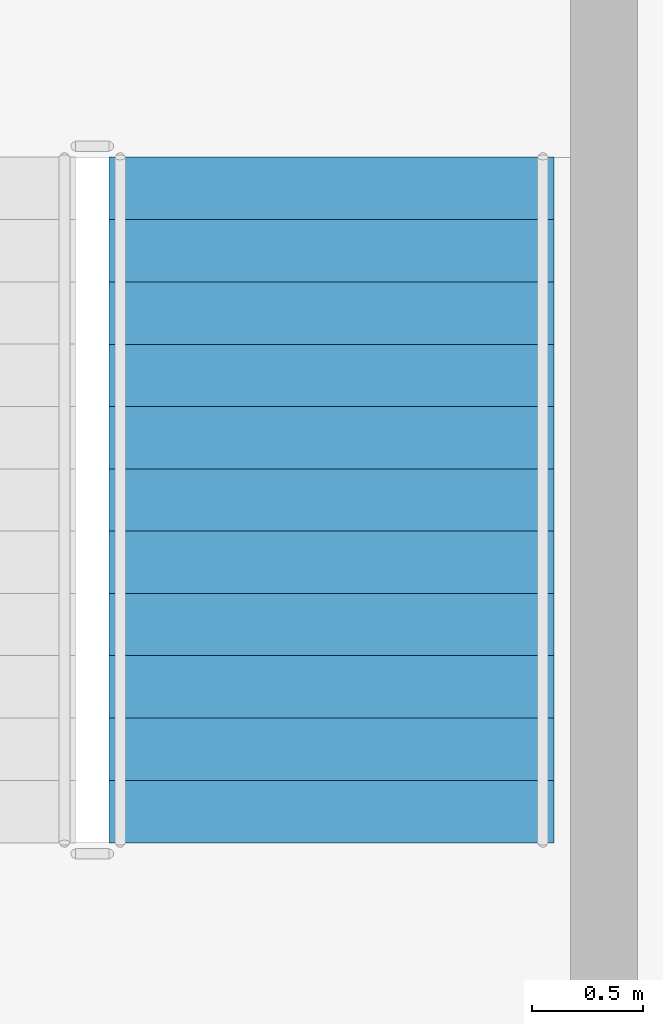
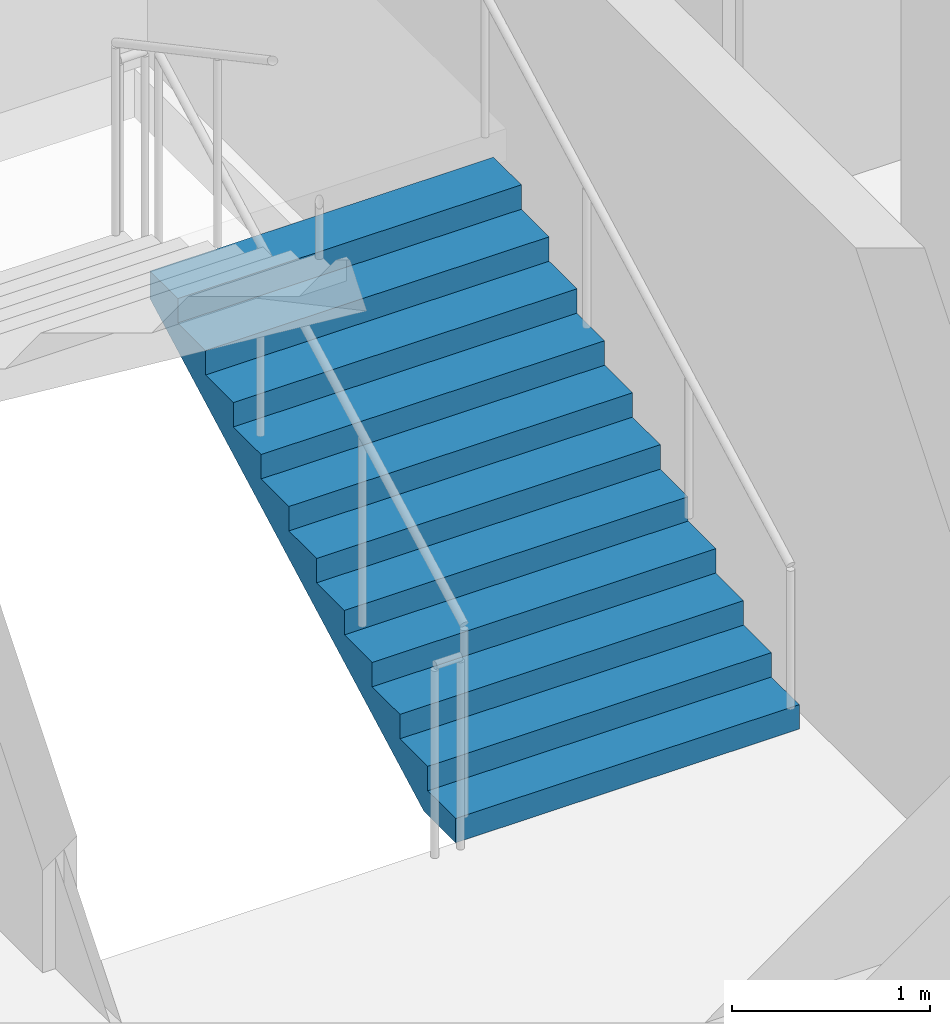
# One storey, part 12 of 15: 1 stair flight, 1 element without a shape of its own.
"""IFC4 building model written with IfcOpenShell, lengths in metres."""

import ifcopenshell
import ifcopenshell.guid

model = None  # the IFC model being written
_history = None  # IfcOwnerHistory: only IFC2X3 demands one
_inside = {}  # id of a spatial element -> (the spatial element, [elements in it])
_under = {}  # id of a project, library or spatial element -> (it, [spatial elements below it])
_declared = {}  # id of a project -> (the project, [libraries it declares])
_typed = {}  # id of a type object -> (the type object, [elements of that type])
_made_of = {}  # id of a material, layer set ... -> (it, [elements and type objects made of it])


def new_model(schema):
    """Start an empty IFC model of exactly this schema.

    Asked for "IFC4X3", IfcOpenShell would pick the latest addendum, in which some entities
    have other attributes; the version numbers below select the first issue.
    IFC2X3 requires an IfcOwnerHistory on every rooted entity: one is made here for all.
    """
    global model, _history
    if schema == "IFC4X3":
        model = ifcopenshell.file(schema_version=(4, 3, 0, 0))
    else:
        model = ifcopenshell.file(schema=schema)
    _inside.clear()
    _under.clear()
    _declared.clear()
    _typed.clear()
    _made_of.clear()
    _history = None
    if model.schema == "IFC2X3":
        org = make("IfcOrganization", Name="unknown")
        user = make(
            "IfcPersonAndOrganization",
            ThePerson=make("IfcPerson", FamilyName="unknown"),
            TheOrganization=org,
        )
        app = make(
            "IfcApplication",
            ApplicationDeveloper=org,
            Version="unknown",
            ApplicationFullName="unknown",
            ApplicationIdentifier="unknown",
        )
        _history = make(
            "IfcOwnerHistory",
            OwningUser=user,
            OwningApplication=app,
            ChangeAction="ADDED",
            CreationDate=0,
        )
    return model


def make(cls, **values):
    """One entity of the class cls with the attributes given. An attribute that is None is left unset."""
    return model.create_entity(
        cls, **{name: value for name, value in values.items() if value is not None}
    )


def rooted(cls, **values):
    """An entity with a GlobalId (a new one), such as an element, a storey or a relation."""
    return make(cls, GlobalId=ifcopenshell.guid.new(), OwnerHistory=_history, **values)


def si_unit(unit_type, name, prefix=None):
    """IfcSIUnit, for example si_unit("LENGTHUNIT", "METRE", prefix="MILLI")."""
    return make("IfcSIUnit", UnitType=unit_type, Prefix=prefix, Name=name)


def assignment(units):
    """IfcUnitAssignment: the units of a project."""
    return None if units is None else make("IfcUnitAssignment", Units=units)


def point(xyz):
    """IfcCartesianPoint."""
    return None if xyz is None else make("IfcCartesianPoint", Coordinates=xyz)


def direction(xyz):
    """IfcDirection."""
    return None if xyz is None else make("IfcDirection", DirectionRatios=xyz)


def frame(location, z_axis=None, x_axis=None):
    """IfcAxis2Placement3D, a coordinate frame: its origin and axes. An axis left out is left unset."""
    return make(
        "IfcAxis2Placement3D",
        Location=point(location),
        Axis=direction(z_axis),
        RefDirection=direction(x_axis),
    )


def origin():
    """The frame at (0, 0, 0) with its axes left unset."""
    return frame((0.0, 0.0, 0.0))


def place(relative_to, where):
    """IfcLocalPlacement: puts the frame where relative to a parent placement (None: the world)."""
    return make(
        "IfcLocalPlacement", PlacementRelTo=relative_to, RelativePlacement=where
    )


def context(
    kind, dimensions, precision=None, world=None, true_north=None, identifier=None
):
    """IfcGeometricRepresentationContext, for example the 3D "Model" context."""
    return make(
        "IfcGeometricRepresentationContext",
        ContextIdentifier=identifier,
        ContextType=kind,
        CoordinateSpaceDimension=dimensions,
        Precision=precision,
        WorldCoordinateSystem=world,
        TrueNorth=true_north,
    )


def subcontext(parent, identifier, kind, view, scale=None):
    """IfcGeometricRepresentationSubContext, for example "Body" below "Model"."""
    return make(
        "IfcGeometricRepresentationSubContext",
        ContextIdentifier=identifier,
        ContextType=kind,
        ParentContext=parent,
        TargetScale=scale,
        TargetView=view,
    )


def project(units=None, contexts=None):
    """IfcProject with its units and contexts."""
    return rooted(
        "IfcProject",
        Name="project",
        RepresentationContexts=contexts,
        UnitsInContext=assignment(units),
    )


def spatial(cls, under=None, at=None, **own):
    """A site, building, storey or space (cls), placed at a placement, below another one or the project."""
    s = rooted(cls, ObjectPlacement=at, **own)
    if under is not None:
        _under.setdefault(under.id(), (under, []))[1].append(s)
    return s


def point_list(points):
    """IfcCartesianPointList2D or 3D."""
    cls = (
        "IfcCartesianPointList2D" if len(points[0]) == 2 else "IfcCartesianPointList3D"
    )
    return make(cls, CoordList=points)


def polygons(points, faces, closed=None, point_numbers=None):
    """IfcPolygonalFaceSet: a face is its outer loop, then its inner loops; points numbered from 1."""
    made = []
    for loops in faces:
        if len(loops) == 1:
            made.append(make("IfcIndexedPolygonalFace", CoordIndex=loops[0]))
        else:
            made.append(
                make(
                    "IfcIndexedPolygonalFaceWithVoids",
                    CoordIndex=loops[0],
                    InnerCoordIndices=loops[1:],
                )
            )
    return make(
        "IfcPolygonalFaceSet",
        Coordinates=point_list(points),
        Closed=closed,
        Faces=made,
        PnIndex=point_numbers,
    )


def shape(context_of_items, identifier, shape_type, items):
    """IfcShapeRepresentation: the items that make up one representation, for example the "Body"."""
    return make(
        "IfcShapeRepresentation",
        ContextOfItems=context_of_items,
        RepresentationIdentifier=identifier,
        RepresentationType=shape_type,
        Items=items,
    )


def material(Name=None, Category=None):
    """IfcMaterial."""
    return make("IfcMaterial", Name=Name, Category=Category)


def made_of(thing, what):
    """Note that an element or type object is made of a material, layer set ...; save() writes the relation."""
    if what is not None:
        _made_of.setdefault(what.id(), (what, []))[1].append(thing)
    return thing


def type_object(cls, material=None, **own):
    """A type object (cls), such as IfcWallType, which elements share."""
    return made_of(rooted(cls, **own), material)


def element(
    cls,
    number,
    at=None,
    inside=None,
    cuts=None,
    type_object=None,
    material=None,
    context=None,
    identifier="Body",
    shape_type=None,
    held_by="IfcProductDefinitionShape",
    body=None,
    shapes=None,
    **own,
):
    """One element of the class cls, such as IfcWall. Its Tag is "e" and its number.

    at: its placement. inside: the storey or other place that contains it. cuts: it is an
    opening in that element (IfcRelVoidsElement). A single representation is given by context,
    identifier, shape_type and body (its items); several are given by shapes. held_by: the class
    of the entity that holds the representations. save() writes the other relations.
    """
    e = rooted(cls, Tag="e%d" % number, ObjectPlacement=at, **own)
    if body is not None:
        shapes = [shape(context, identifier, shape_type, body)]
    if shapes is not None:
        e.Representation = make(held_by, Representations=shapes)
    if inside is not None:
        _inside.setdefault(inside.id(), (inside, []))[1].append(e)
    if cuts is not None:
        rooted(
            "IfcRelVoidsElement", RelatingBuildingElement=cuts, RelatedOpeningElement=e
        )
    if type_object is not None:
        _typed.setdefault(type_object.id(), (type_object, []))[1].append(e)
    return made_of(e, material)


def aggregate(whole, parts):
    """IfcRelAggregates: a whole, such as a stair, and the parts it consists of."""
    return rooted("IfcRelAggregates", RelatingObject=whole, RelatedObjects=parts)


def save(model, path):
    """Write the relations noted so far, then the file.

    IfcRelAggregates (storeys below a building ...), IfcRelContainedInSpatialStructure (elements
    in a storey), IfcRelDefinesByType, IfcRelAssociatesMaterial and IfcRelDeclares: one each for
    every whole, place, type object, material and project.
    """
    for whole, parts in _under.values():
        aggregate(whole, parts)
    for where, things in _inside.values():
        rooted(
            "IfcRelContainedInSpatialStructure",
            RelatedElements=things,
            RelatingStructure=where,
        )
    for kind, things in _typed.values():
        rooted("IfcRelDefinesByType", RelatedObjects=things, RelatingType=kind)
    for what, things in _made_of.values():
        rooted("IfcRelAssociatesMaterial", RelatedObjects=things, RelatingMaterial=what)
    for by, libraries in _declared.values():
        rooted("IfcRelDeclares", RelatingContext=by, RelatedDefinitions=libraries)
    model.write(path)


model = new_model("IFC4")

# Units and contexts
model_context = context("Model", 3, precision=1e-05, world=origin(), true_north=direction((0.0, 1.0)))
body_context = subcontext(model_context, "Body", "Model", "MODEL_VIEW")
ifc_project = project(units=[si_unit("LENGTHUNIT", "METRE"), si_unit("AREAUNIT", "SQUARE_METRE"), si_unit("VOLUMEUNIT", "CUBIC_METRE"), si_unit("PLANEANGLEUNIT", "RADIAN"), si_unit("MASSUNIT", "GRAM", prefix="KILO")], contexts=[model_context])

# Site, building, storey
site_placement = place(None, origin())
site = spatial("IfcSite", under=ifc_project, at=site_placement, CompositionType="ELEMENT")
building_placement = place(site_placement, origin())
building = spatial("IfcBuilding", under=site, at=building_placement, Name="Caravel Reach Hotel and Residences", CompositionType="ELEMENT")
storey_placement = place(building_placement, frame((0.0, 0.0, 44.39990234375)))
storey = spatial("IfcBuildingStorey", under=building, at=storey_placement, Name="L09", CompositionType="ELEMENT", Elevation=44.39990234375)

# Stair, stair flight
ifc_material_1 = material(Name="Concrete C40", Category="concrete")
stair_type = type_object("IfcStairType", Name="Core stair", PredefinedType="HALF_TURN_STAIR", material=ifc_material_1)
stair_placement = place(storey_placement, origin())
stair = element("IfcStair", 1, at=stair_placement, inside=storey, type_object=stair_type, Name="L09 Exit stair B", PredefinedType="HALF_TURN_STAIR")
ifc_material_2 = material(Name="Concrete C40", Category="concrete")
stair_flight_type = type_object("IfcStairFlightType", Name="Core stair flight", PredefinedType="STRAIGHT", material=ifc_material_2)
stair_flight_placement = place(storey_placement, frame((43.77490234375, 24.64990234375, 0.0), z_axis=(0.0, 0.0, 1.0), x_axis=(0.0, 1.0, 0.0)))
stair_flight = element("IfcStairFlight", 2, at=stair_flight_placement, type_object=stair_flight_type, Name="ST-B flight 1", NumberOfRisers=12, NumberOfTreads=11, PredefinedType="STRAIGHT", RiserHeight=0.15, TreadLength=0.28, context=body_context, shape_type="Tessellation", body=[
    polygons([(0.3174408016601862, 1.0, 0.0), (0.3174408016601862, 0.6666666666666667, 0.0), (0.3174408016601862, 0.33333333333333337, 0.0), (0.3174408016601862, 0.0, 0.0), (0.3174408016601862, -0.33333333333333326, 0.0), (0.3174408016601862, -0.6666666666666667, 0.0), (0.3174408016601862, -1.0, 0.0), (3.081, 1.0, 1.479942427682043), (3.081, 0.6666666666666667, 1.479942427682043), (3.081, 0.33333333333333337, 1.479942427682043), (3.081, 0.0, 1.479942427682043), (3.081, -0.33333333333333326, 1.479942427682043), (3.081, -0.6666666666666667, 1.479942427682043), (3.081, -1.0, 1.479942427682043), (3.081, 1.0, 1.65), (3.081, 0.6666666666666667, 1.65), (3.081, 0.33333333333333337, 1.65), (3.081, 0.0, 1.65), (3.081, -0.33333333333333326, 1.65), (3.081, -0.6666666666666667, 1.65), (3.081, -1.0, 1.65), (2.8000000000000003, 1.0, 1.65), (2.8000000000000003, 0.6666666666666667, 1.65), (2.8000000000000003, 0.33333333333333337, 1.65), (2.8000000000000003, 0.0, 1.65), (2.8000000000000003, -0.33333333333333326, 1.65), (2.8000000000000003, -0.6666666666666667, 1.65), (2.8000000000000003, -1.0, 1.65), (2.8000000000000003, 1.0, 1.5), (2.8000000000000003, 0.6666666666666667, 1.5), (2.8000000000000003, 0.33333333333333337, 1.5), (2.8000000000000003, 0.0, 1.5), (2.8000000000000003, -0.33333333333333326, 1.5), (2.8000000000000003, -0.6666666666666667, 1.5), (2.8000000000000003, -1.0, 1.5), (2.5200000000000005, 1.0, 1.5), (2.5200000000000005, 0.6666666666666667, 1.5), (2.5200000000000005, 0.33333333333333337, 1.5), (2.5200000000000005, 0.0, 1.5), (2.5200000000000005, -0.33333333333333326, 1.5), (2.5200000000000005, -0.6666666666666667, 1.5), (2.5200000000000005, -1.0, 1.5), (2.5200000000000005, 1.0, 1.3499999999999999), (2.5200000000000005, 0.6666666666666667, 1.3499999999999999), (2.5200000000000005, 0.33333333333333337, 1.3499999999999999), (2.5200000000000005, 0.0, 1.3499999999999999), (2.5200000000000005, -0.33333333333333326, 1.3499999999999999), (2.5200000000000005, -0.6666666666666667, 1.3499999999999999), (2.5200000000000005, -1.0, 1.3499999999999999), (2.24, 1.0, 1.3499999999999999), (2.24, 0.6666666666666667, 1.3499999999999999), (2.24, 0.33333333333333337, 1.3499999999999999), (2.24, 0.0, 1.3499999999999999), (2.24, -0.33333333333333326, 1.3499999999999999), (2.24, -0.6666666666666667, 1.3499999999999999), (2.24, -1.0, 1.3499999999999999), (2.24, 1.0, 1.2), (2.24, 0.6666666666666667, 1.2), (2.24, 0.33333333333333337, 1.2), (2.24, 0.0, 1.2), (2.24, -0.33333333333333326, 1.2), (2.24, -0.6666666666666667, 1.2), (2.24, -1.0, 1.2), (1.9600000000000002, 1.0, 1.2), (1.9600000000000002, 0.6666666666666667, 1.2), (1.9600000000000002, 0.33333333333333337, 1.2), (1.9600000000000002, 0.0, 1.2), (1.9600000000000002, -0.33333333333333326, 1.2), (1.9600000000000002, -0.6666666666666667, 1.2), (1.9600000000000002, -1.0, 1.2), (1.9600000000000002, 1.0, 1.05), (1.9600000000000002, 0.6666666666666667, 1.05), (1.9600000000000002, 0.33333333333333337, 1.05), (1.9600000000000002, 0.0, 1.05), (1.9600000000000002, -0.33333333333333326, 1.05), (1.9600000000000002, -0.6666666666666667, 1.05), (1.9600000000000002, -1.0, 1.05), (1.6800000000000002, 1.0, 1.05), (1.6800000000000002, 0.6666666666666667, 1.05), (1.6800000000000002, 0.33333333333333337, 1.05), (1.6800000000000002, 0.0, 1.05), (1.6800000000000002, -0.33333333333333326, 1.05), (1.6800000000000002, -0.6666666666666667, 1.05), (1.6800000000000002, -1.0, 1.05), (1.6800000000000002, 1.0, 0.8999999999999999), (1.6800000000000002, 0.6666666666666667, 0.8999999999999999), (1.6800000000000002, 0.33333333333333337, 0.8999999999999999), (1.6800000000000002, 0.0, 0.8999999999999999), (1.6800000000000002, -0.33333333333333326, 0.8999999999999999), (1.6800000000000002, -0.6666666666666667, 0.8999999999999999), (1.6800000000000002, -1.0, 0.8999999999999999), (1.4000000000000001, 1.0, 0.8999999999999999), (1.4000000000000001, 0.6666666666666667, 0.8999999999999999), (1.4000000000000001, 0.33333333333333337, 0.8999999999999999), (1.4000000000000001, 0.0, 0.8999999999999999), (1.4000000000000001, -0.33333333333333326, 0.8999999999999999), (1.4000000000000001, -0.6666666666666667, 0.8999999999999999), (1.4000000000000001, -1.0, 0.8999999999999999), (1.4000000000000001, 1.0, 0.75), (1.4000000000000001, 0.6666666666666667, 0.75), (1.4000000000000001, 0.33333333333333337, 0.75), (1.4000000000000001, 0.0, 0.75), (1.4000000000000001, -0.33333333333333326, 0.75), (1.4000000000000001, -0.6666666666666667, 0.75), (1.4000000000000001, -1.0, 0.75), (1.12, 1.0, 0.75), (1.12, 0.6666666666666667, 0.75), (1.12, 0.33333333333333337, 0.75), (1.12, 0.0, 0.75), (1.12, -0.33333333333333326, 0.75), (1.12, -0.6666666666666667, 0.75), (1.12, -1.0, 0.75), (1.12, 1.0, 0.6), (1.12, 0.6666666666666667, 0.6), (1.12, 0.33333333333333337, 0.6), (1.12, 0.0, 0.6), (1.12, -0.33333333333333326, 0.6), (1.12, -0.6666666666666667, 0.6), (1.12, -1.0, 0.6), (0.8400000000000001, 1.0, 0.6), (0.8400000000000001, 0.6666666666666667, 0.6), (0.8400000000000001, 0.33333333333333337, 0.6), (0.8400000000000001, 0.0, 0.6), (0.8400000000000001, -0.33333333333333326, 0.6), (0.8400000000000001, -0.6666666666666667, 0.6), (0.8400000000000001, -1.0, 0.6), (0.8400000000000001, 1.0, 0.44999999999999996), (0.8400000000000001, 0.6666666666666667, 0.44999999999999996), (0.8400000000000001, 0.33333333333333337, 0.44999999999999996), (0.8400000000000001, 0.0, 0.44999999999999996), (0.8400000000000001, -0.33333333333333326, 0.44999999999999996), (0.8400000000000001, -0.6666666666666667, 0.44999999999999996), (0.8400000000000001, -1.0, 0.44999999999999996), (0.56, 1.0, 0.44999999999999996), (0.56, 0.6666666666666667, 0.44999999999999996), (0.56, 0.33333333333333337, 0.44999999999999996), (0.56, 0.0, 0.44999999999999996), (0.56, -0.33333333333333326, 0.44999999999999996), (0.56, -0.6666666666666667, 0.44999999999999996), (0.56, -1.0, 0.44999999999999996), (0.56, 1.0, 0.3), (0.56, 0.6666666666666667, 0.3), (0.56, 0.33333333333333337, 0.3), (0.56, 0.0, 0.3), (0.56, -0.33333333333333326, 0.3), (0.56, -0.6666666666666667, 0.3), (0.56, -1.0, 0.3), (0.28, 1.0, 0.3), (0.28, 0.6666666666666667, 0.3), (0.28, 0.33333333333333337, 0.3), (0.28, 0.0, 0.3), (0.28, -0.33333333333333326, 0.3), (0.28, -0.6666666666666667, 0.3), (0.28, -1.0, 0.3), (0.28, 1.0, 0.15), (0.28, 0.6666666666666667, 0.15), (0.28, 0.33333333333333337, 0.15), (0.28, 0.0, 0.15), (0.28, -0.33333333333333326, 0.15), (0.28, -0.6666666666666667, 0.15), (0.28, -1.0, 0.15), (-0.001, 1.0, 0.15), (-0.001, 0.6666666666666667, 0.15), (-0.001, 0.33333333333333337, 0.15), (-0.001, 0.0, 0.15), (-0.001, -0.33333333333333326, 0.15), (-0.001, -0.6666666666666667, 0.15), (-0.001, -1.0, 0.15), (-0.001, 1.0, 0.0), (-0.001, 0.6666666666666667, 0.0), (-0.001, 0.33333333333333337, 0.0), (-0.001, 0.0, 0.0), (-0.001, -0.33333333333333326, 0.0), (-0.001, -0.6666666666666667, 0.0), (-0.001, -1.0, 0.0)], [[[169, 162, 155, 148, 141, 134, 127, 120, 113, 106, 99, 92, 85, 78, 71, 64, 57, 50, 43, 36, 29, 22, 15, 8, 1]], [[7, 14, 21, 28, 35, 42, 49, 56, 63, 70, 77, 84, 91, 98, 105, 112, 119, 126, 133, 140, 147, 154, 161, 168, 175]], [[1, 8, 9, 2]], [[2, 9, 10, 3]], [[3, 10, 11, 4]], [[4, 11, 12, 5]], [[5, 12, 13, 6]], [[6, 13, 14, 7]], [[8, 15, 16, 9]], [[9, 16, 17, 10]], [[10, 17, 18, 11]], [[11, 18, 19, 12]], [[12, 19, 20, 13]], [[13, 20, 21, 14]], [[15, 22, 23, 16]], [[16, 23, 24, 17]], [[17, 24, 25, 18]], [[18, 25, 26, 19]], [[19, 26, 27, 20]], [[20, 27, 28, 21]], [[22, 29, 30, 23]], [[23, 30, 31, 24]], [[24, 31, 32, 25]], [[25, 32, 33, 26]], [[26, 33, 34, 27]], [[27, 34, 35, 28]], [[29, 36, 37, 30]], [[30, 37, 38, 31]], [[31, 38, 39, 32]], [[32, 39, 40, 33]], [[33, 40, 41, 34]], [[34, 41, 42, 35]], [[36, 43, 44, 37]], [[37, 44, 45, 38]], [[38, 45, 46, 39]], [[39, 46, 47, 40]], [[40, 47, 48, 41]], [[41, 48, 49, 42]], [[43, 50, 51, 44]], [[44, 51, 52, 45]], [[45, 52, 53, 46]], [[46, 53, 54, 47]], [[47, 54, 55, 48]], [[48, 55, 56, 49]], [[50, 57, 58, 51]], [[51, 58, 59, 52]], [[52, 59, 60, 53]], [[53, 60, 61, 54]], [[54, 61, 62, 55]], [[55, 62, 63, 56]], [[57, 64, 65, 58]], [[58, 65, 66, 59]], [[59, 66, 67, 60]], [[60, 67, 68, 61]], [[61, 68, 69, 62]], [[62, 69, 70, 63]], [[64, 71, 72, 65]], [[65, 72, 73, 66]], [[66, 73, 74, 67]], [[67, 74, 75, 68]], [[68, 75, 76, 69]], [[69, 76, 77, 70]], [[71, 78, 79, 72]], [[72, 79, 80, 73]], [[73, 80, 81, 74]], [[74, 81, 82, 75]], [[75, 82, 83, 76]], [[76, 83, 84, 77]], [[78, 85, 86, 79]], [[79, 86, 87, 80]], [[80, 87, 88, 81]], [[81, 88, 89, 82]], [[82, 89, 90, 83]], [[83, 90, 91, 84]], [[85, 92, 93, 86]], [[86, 93, 94, 87]], [[87, 94, 95, 88]], [[88, 95, 96, 89]], [[89, 96, 97, 90]], [[90, 97, 98, 91]], [[92, 99, 100, 93]], [[93, 100, 101, 94]], [[94, 101, 102, 95]], [[95, 102, 103, 96]], [[96, 103, 104, 97]], [[97, 104, 105, 98]], [[99, 106, 107, 100]], [[100, 107, 108, 101]], [[101, 108, 109, 102]], [[102, 109, 110, 103]], [[103, 110, 111, 104]], [[104, 111, 112, 105]], [[106, 113, 114, 107]], [[107, 114, 115, 108]], [[108, 115, 116, 109]], [[109, 116, 117, 110]], [[110, 117, 118, 111]], [[111, 118, 119, 112]], [[113, 120, 121, 114]], [[114, 121, 122, 115]], [[115, 122, 123, 116]], [[116, 123, 124, 117]], [[117, 124, 125, 118]], [[118, 125, 126, 119]], [[120, 127, 128, 121]], [[121, 128, 129, 122]], [[122, 129, 130, 123]], [[123, 130, 131, 124]], [[124, 131, 132, 125]], [[125, 132, 133, 126]], [[127, 134, 135, 128]], [[128, 135, 136, 129]], [[129, 136, 137, 130]], [[130, 137, 138, 131]], [[131, 138, 139, 132]], [[132, 139, 140, 133]], [[134, 141, 142, 135]], [[135, 142, 143, 136]], [[136, 143, 144, 137]], [[137, 144, 145, 138]], [[138, 145, 146, 139]], [[139, 146, 147, 140]], [[141, 148, 149, 142]], [[142, 149, 150, 143]], [[143, 150, 151, 144]], [[144, 151, 152, 145]], [[145, 152, 153, 146]], [[146, 153, 154, 147]], [[148, 155, 156, 149]], [[149, 156, 157, 150]], [[150, 157, 158, 151]], [[151, 158, 159, 152]], [[152, 159, 160, 153]], [[153, 160, 161, 154]], [[155, 162, 163, 156]], [[156, 163, 164, 157]], [[157, 164, 165, 158]], [[158, 165, 166, 159]], [[159, 166, 167, 160]], [[160, 167, 168, 161]], [[162, 169, 170, 163]], [[163, 170, 171, 164]], [[164, 171, 172, 165]], [[165, 172, 173, 166]], [[166, 173, 174, 167]], [[167, 174, 175, 168]], [[169, 1, 2, 170]], [[170, 2, 3, 171]], [[171, 3, 4, 172]], [[172, 4, 5, 173]], [[173, 5, 6, 174]], [[174, 6, 7, 175]]], closed=True),
])
aggregate(stair, [stair_flight])

save(model, "model.ifc")
